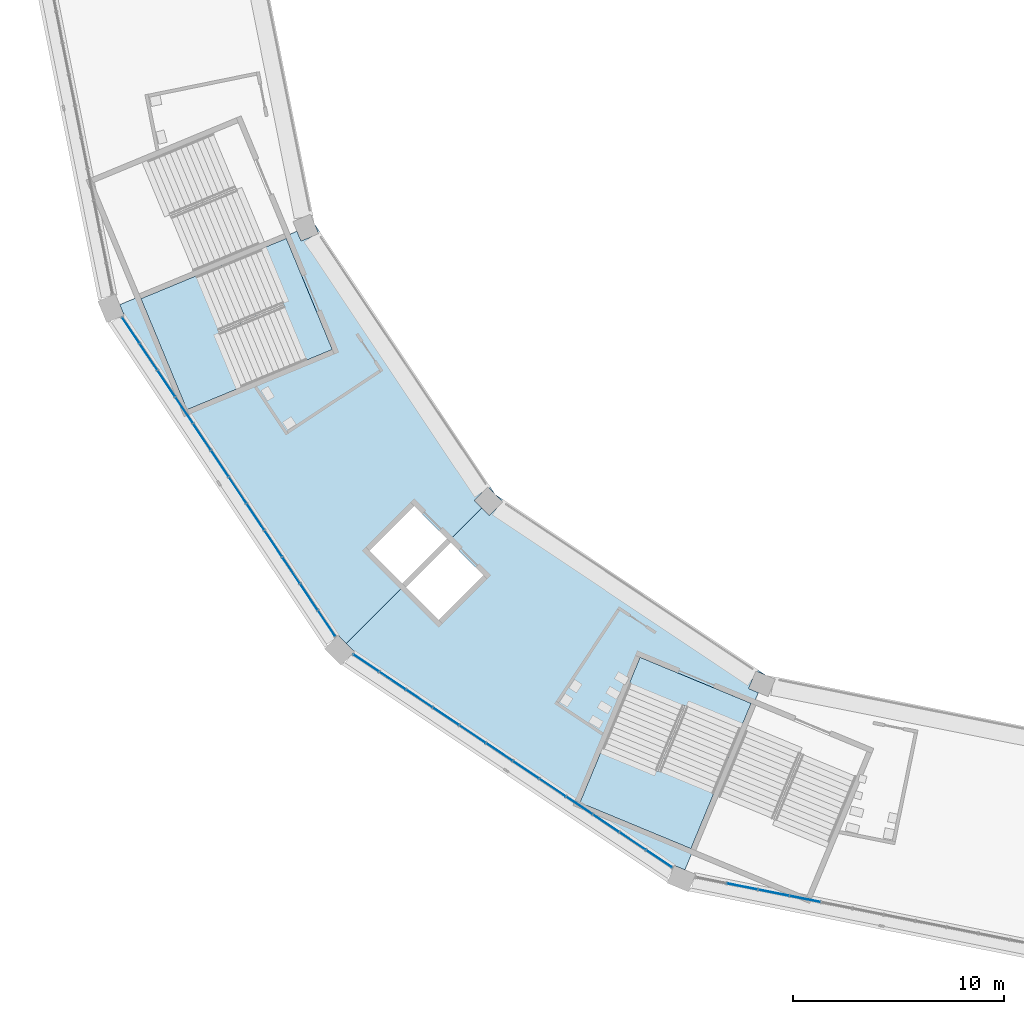
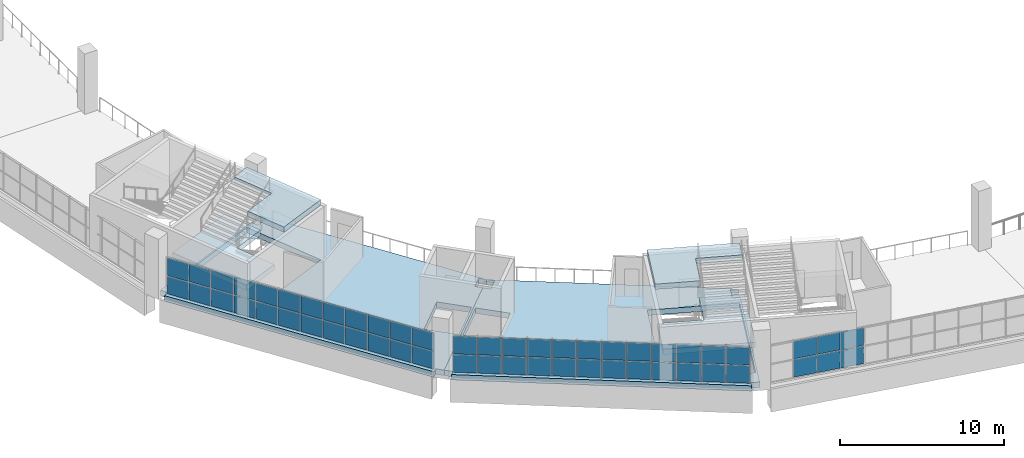
# One storey, part 43 of 177: 54 plates, 6 slabs, 5 elements without a shape of their own.
"""IFC4 building model written with IfcOpenShell, lengths in metres."""

from ifc_helpers import new_model, si_unit, direction, frame, origin, origin_2d, place, context, subcontext, project, spatial, polyline, rectangle, outline, extrude, material, layer, layer_set, type_object, element, aggregate, save


model = new_model("IFC4")

# Units and contexts
model_context = context("Model", 3, precision=1e-05, world=origin(), true_north=direction((0.0, 1.0)))
body_context = subcontext(model_context, "Body", "Model", "MODEL_VIEW")
ifc_project = project(units=[si_unit("LENGTHUNIT", "METRE"), si_unit("AREAUNIT", "SQUARE_METRE"), si_unit("VOLUMEUNIT", "CUBIC_METRE"), si_unit("PLANEANGLEUNIT", "RADIAN"), si_unit("MASSUNIT", "GRAM", prefix="KILO")], contexts=[model_context])

# Site, building, storey
site_placement = place(None, origin())
site = spatial("IfcSite", under=ifc_project, at=site_placement, CompositionType="ELEMENT")
building_placement = place(site_placement, origin())
building = spatial("IfcBuilding", under=site, at=building_placement, Name="Ogive Plaza Stadium", CompositionType="ELEMENT")
storey_placement = place(building_placement, frame((0.0, 0.0, 18.0)))
storey = spatial("IfcBuildingStorey", under=building, at=storey_placement, Name="L04", CompositionType="ELEMENT", Elevation=18.0)

# Curtain wall, plates
ifc_material_1 = material(Name="Bronze-anodised aluminium with laminated glass", Category="aluminium")
curtain_wall_type = type_object("IfcCurtainWallType", Name="Lancet curtain wall", PredefinedType="NOTDEFINED", material=ifc_material_1)
curtain_wall_1_placement = place(storey_placement, origin())
curtain_wall_1 = element("IfcCurtainWall", 1, at=curtain_wall_1_placement, inside=storey, type_object=curtain_wall_type, Name="CURTAIN WALL B17 L04", PredefinedType="NOTDEFINED")
ifc_material_2 = material(Name="Laminated glass", Category="glass")
ifc_layer_1 = layer(ifc_material_2, 0.028076171875)
ifc_layer_set_1 = layer_set([ifc_layer_1], Name="Laminated glass panel 28")
plate_type = type_object("IfcPlateType", Name="Laminated glass panel 28", PredefinedType="CURTAIN_PANEL", material=ifc_layer_set_1)
plate_1_placement = place(storey_placement, frame((-47.2607421875, -99.658447265625, 0.0498046875), z_axis=(0.0, 0.0, 1.0), x_axis=(-0.9807852804, 0.195090322033, 0.0)))
plate_1 = element("IfcPlate", 2, at=plate_1_placement, type_object=plate_type, Name="CW-B17-L04 panel 9.1", PredefinedType="CURTAIN_PANEL", context=body_context, shape_type="SweptSolid", body=[
    extrude(rectangle(XDim=1.472412109375, YDim=0.028076171875, at=origin_2d()), origin(), (0.0, 0.0, 1.0), 1.320068359375),
])
plate_2_placement = place(storey_placement, frame((-47.2607421875, -99.658447265625, 1.419921875), z_axis=(0.0, 0.0, 1.0), x_axis=(-0.9807852804, 0.195090322033, 0.0)))
plate_2 = element("IfcPlate", 3, at=plate_2_placement, type_object=plate_type, Name="CW-B17-L04 panel 9.2", PredefinedType="CURTAIN_PANEL", context=body_context, shape_type="SweptSolid", body=[
    extrude(rectangle(XDim=1.472412109375, YDim=0.028076171875, at=origin_2d()), origin(), (0.0, 0.0, 1.0), 1.320068359375),
])
plate_3_placement = place(storey_placement, frame((-48.75390625, -99.361328125, 0.0498046875), z_axis=(0.0, 0.0, 1.0), x_axis=(-0.9807852804, 0.195090322033, 0.0)))
plate_3 = element("IfcPlate", 4, at=plate_3_placement, type_object=plate_type, Name="CW-B17-L04 panel 10.1", PredefinedType="CURTAIN_PANEL", context=body_context, shape_type="SweptSolid", body=[
    extrude(rectangle(XDim=1.472412109375, YDim=0.028076171875, at=origin_2d()), origin(), (0.0, 0.0, 1.0), 1.320068359375),
])
plate_4_placement = place(storey_placement, frame((-48.75390625, -99.361328125, 1.419921875), z_axis=(0.0, 0.0, 1.0), x_axis=(-0.9807852804, 0.195090322033, 0.0)))
plate_4 = element("IfcPlate", 5, at=plate_4_placement, type_object=plate_type, Name="CW-B17-L04 panel 10.2", PredefinedType="CURTAIN_PANEL", context=body_context, shape_type="SweptSolid", body=[
    extrude(rectangle(XDim=1.472412109375, YDim=0.028076171875, at=origin_2d()), origin(), (0.0, 0.0, 1.0), 1.320068359375),
])
plate_5_placement = place(storey_placement, frame((-50.2470703125, -99.064453125, 0.0498046875), z_axis=(0.0, 0.0, 1.0), x_axis=(-0.9807852804, 0.195090322033, 0.0)))
plate_5 = element("IfcPlate", 6, at=plate_5_placement, type_object=plate_type, Name="CW-B17-L04 panel 11.1", PredefinedType="CURTAIN_PANEL", context=body_context, shape_type="SweptSolid", body=[
    extrude(rectangle(XDim=1.472412109375, YDim=0.028076171875, at=origin_2d()), origin(), (0.0, 0.0, 1.0), 1.320068359375),
])
plate_6_placement = place(storey_placement, frame((-50.2470703125, -99.064453125, 1.419921875), z_axis=(0.0, 0.0, 1.0), x_axis=(-0.9807852804, 0.195090322033, 0.0)))
plate_6 = element("IfcPlate", 7, at=plate_6_placement, type_object=plate_type, Name="CW-B17-L04 panel 11.2", PredefinedType="CURTAIN_PANEL", context=body_context, shape_type="SweptSolid", body=[
    extrude(rectangle(XDim=1.472412109375, YDim=0.028076171875, at=origin_2d()), origin(), (0.0, 0.0, 1.0), 1.320068359375),
])
aggregate(curtain_wall_1, [plate_1, plate_2, plate_3, plate_4, plate_5, plate_6])

curtain_wall_2_placement = place(storey_placement, origin())
curtain_wall_2 = element("IfcCurtainWall", 8, at=curtain_wall_2_placement, inside=storey, type_object=curtain_wall_type, Name="CURTAIN WALL B18 L04", PredefinedType="NOTDEFINED")
plate_7_placement = place(storey_placement, frame((-54.18212890625, -97.753173828125, 0.0498046875), z_axis=(0.0, 0.0, 1.0), x_axis=(-0.831469612303, 0.55557023302, 0.0)))
plate_7 = element("IfcPlate", 9, at=plate_7_placement, type_object=plate_type, Name="CW-B18-L04 panel 1.1", PredefinedType="CURTAIN_PANEL", context=body_context, shape_type="SweptSolid", body=[
    extrude(rectangle(XDim=1.447265625, YDim=0.028076171875, at=origin_2d()), origin(), (0.0, 0.0, 1.0), 1.320068359375),
])
plate_8_placement = place(storey_placement, frame((-54.18212890625, -97.753173828125, 1.419921875), z_axis=(0.0, 0.0, 1.0), x_axis=(-0.831469612303, 0.55557023302, 0.0)))
plate_8 = element("IfcPlate", 10, at=plate_8_placement, type_object=plate_type, Name="CW-B18-L04 panel 1.2", PredefinedType="CURTAIN_PANEL", context=body_context, shape_type="SweptSolid", body=[
    extrude(rectangle(XDim=1.447265625, YDim=0.028076171875, at=origin_2d()), origin(), (0.0, 0.0, 1.0), 1.320068359375),
])
plate_9_placement = place(storey_placement, frame((-55.4375, -96.914306640625, 0.0498046875), z_axis=(0.0, 0.0, 1.0), x_axis=(-0.831469612303, 0.55557023302, 0.0)))
plate_9 = element("IfcPlate", 11, at=plate_9_placement, type_object=plate_type, Name="CW-B18-L04 panel 2.1", PredefinedType="CURTAIN_PANEL", context=body_context, shape_type="SweptSolid", body=[
    extrude(rectangle(XDim=1.472412109375, YDim=0.028076171875, at=origin_2d()), origin(), (0.0, 0.0, 1.0), 1.320068359375),
])
plate_10_placement = place(storey_placement, frame((-55.4375, -96.914306640625, 1.419921875), z_axis=(0.0, 0.0, 1.0), x_axis=(-0.831469612303, 0.55557023302, 0.0)))
plate_10 = element("IfcPlate", 12, at=plate_10_placement, type_object=plate_type, Name="CW-B18-L04 panel 2.2", PredefinedType="CURTAIN_PANEL", context=body_context, shape_type="SweptSolid", body=[
    extrude(rectangle(XDim=1.472412109375, YDim=0.028076171875, at=origin_2d()), origin(), (0.0, 0.0, 1.0), 1.320068359375),
])
plate_11_placement = place(storey_placement, frame((-56.703369140625, -96.068603515625, 0.0498046875), z_axis=(0.0, 0.0, 1.0), x_axis=(-0.831469612303, 0.55557023302, 0.0)))
plate_11 = element("IfcPlate", 13, at=plate_11_placement, type_object=plate_type, Name="CW-B18-L04 panel 3.1", PredefinedType="CURTAIN_PANEL", context=body_context, shape_type="SweptSolid", body=[
    extrude(rectangle(XDim=1.472412109375, YDim=0.028076171875, at=origin_2d()), origin(), (0.0, 0.0, 1.0), 1.320068359375),
])
plate_12_placement = place(storey_placement, frame((-56.703369140625, -96.068603515625, 1.419921875), z_axis=(0.0, 0.0, 1.0), x_axis=(-0.831469612303, 0.55557023302, 0.0)))
plate_12 = element("IfcPlate", 14, at=plate_12_placement, type_object=plate_type, Name="CW-B18-L04 panel 3.2", PredefinedType="CURTAIN_PANEL", context=body_context, shape_type="SweptSolid", body=[
    extrude(rectangle(XDim=1.472412109375, YDim=0.028076171875, at=origin_2d()), origin(), (0.0, 0.0, 1.0), 1.320068359375),
])
plate_13_placement = place(storey_placement, frame((-57.96923828125, -95.222900390625, 0.0498046875), z_axis=(0.0, 0.0, 1.0), x_axis=(-0.831469612303, 0.55557023302, 0.0)))
plate_13 = element("IfcPlate", 15, at=plate_13_placement, type_object=plate_type, Name="CW-B18-L04 panel 4.1", PredefinedType="CURTAIN_PANEL", context=body_context, shape_type="SweptSolid", body=[
    extrude(rectangle(XDim=1.472412109375, YDim=0.028076171875, at=origin_2d()), origin(), (0.0, 0.0, 1.0), 1.320068359375),
])
plate_14_placement = place(storey_placement, frame((-57.96923828125, -95.222900390625, 1.419921875), z_axis=(0.0, 0.0, 1.0), x_axis=(-0.831469612303, 0.55557023302, 0.0)))
plate_14 = element("IfcPlate", 16, at=plate_14_placement, type_object=plate_type, Name="CW-B18-L04 panel 4.2", PredefinedType="CURTAIN_PANEL", context=body_context, shape_type="SweptSolid", body=[
    extrude(rectangle(XDim=1.472412109375, YDim=0.028076171875, at=origin_2d()), origin(), (0.0, 0.0, 1.0), 1.320068359375),
])
plate_15_placement = place(storey_placement, frame((-59.23486328125, -94.376953125, 0.0498046875), z_axis=(0.0, 0.0, 1.0), x_axis=(-0.831469612303, 0.55557023302, 0.0)))
plate_15 = element("IfcPlate", 17, at=plate_15_placement, type_object=plate_type, Name="CW-B18-L04 panel 5.1", PredefinedType="CURTAIN_PANEL", context=body_context, shape_type="SweptSolid", body=[
    extrude(rectangle(XDim=1.472412109375, YDim=0.028076171875, at=origin_2d()), origin(), (0.0, 0.0, 1.0), 1.320068359375),
])
plate_16_placement = place(storey_placement, frame((-59.23486328125, -94.376953125, 1.419921875), z_axis=(0.0, 0.0, 1.0), x_axis=(-0.831469612303, 0.55557023302, 0.0)))
plate_16 = element("IfcPlate", 18, at=plate_16_placement, type_object=plate_type, Name="CW-B18-L04 panel 5.2", PredefinedType="CURTAIN_PANEL", context=body_context, shape_type="SweptSolid", body=[
    extrude(rectangle(XDim=1.472412109375, YDim=0.028076171875, at=origin_2d()), origin(), (0.0, 0.0, 1.0), 1.320068359375),
])
plate_17_placement = place(storey_placement, frame((-60.500732421875, -93.53125, 0.0498046875), z_axis=(0.0, 0.0, 1.0), x_axis=(-0.831469612303, 0.55557023302, 0.0)))
plate_17 = element("IfcPlate", 19, at=plate_17_placement, type_object=plate_type, Name="CW-B18-L04 panel 6.1", PredefinedType="CURTAIN_PANEL", context=body_context, shape_type="SweptSolid", body=[
    extrude(rectangle(XDim=1.472412109375, YDim=0.028076171875, at=origin_2d()), origin(), (0.0, 0.0, 1.0), 1.320068359375),
])
plate_18_placement = place(storey_placement, frame((-60.500732421875, -93.53125, 1.419921875), z_axis=(0.0, 0.0, 1.0), x_axis=(-0.831469612303, 0.55557023302, 0.0)))
plate_18 = element("IfcPlate", 20, at=plate_18_placement, type_object=plate_type, Name="CW-B18-L04 panel 6.2", PredefinedType="CURTAIN_PANEL", context=body_context, shape_type="SweptSolid", body=[
    extrude(rectangle(XDim=1.472412109375, YDim=0.028076171875, at=origin_2d()), origin(), (0.0, 0.0, 1.0), 1.320068359375),
])
plate_19_placement = place(storey_placement, frame((-61.7666015625, -92.685546875, 0.0498046875), z_axis=(0.0, 0.0, 1.0), x_axis=(-0.831469612303, 0.55557023302, 0.0)))
plate_19 = element("IfcPlate", 21, at=plate_19_placement, type_object=plate_type, Name="CW-B18-L04 panel 7.1", PredefinedType="CURTAIN_PANEL", context=body_context, shape_type="SweptSolid", body=[
    extrude(rectangle(XDim=1.472412109375, YDim=0.028076171875, at=origin_2d()), origin(), (0.0, 0.0, 1.0), 1.320068359375),
])
plate_20_placement = place(storey_placement, frame((-61.7666015625, -92.685546875, 1.419921875), z_axis=(0.0, 0.0, 1.0), x_axis=(-0.831469612303, 0.55557023302, 0.0)))
plate_20 = element("IfcPlate", 22, at=plate_20_placement, type_object=plate_type, Name="CW-B18-L04 panel 7.2", PredefinedType="CURTAIN_PANEL", context=body_context, shape_type="SweptSolid", body=[
    extrude(rectangle(XDim=1.472412109375, YDim=0.028076171875, at=origin_2d()), origin(), (0.0, 0.0, 1.0), 1.320068359375),
])
plate_21_placement = place(storey_placement, frame((-63.0322265625, -91.839599609375, 0.0498046875), z_axis=(0.0, 0.0, 1.0), x_axis=(-0.831469612303, 0.55557023302, 0.0)))
plate_21 = element("IfcPlate", 23, at=plate_21_placement, type_object=plate_type, Name="CW-B18-L04 panel 8.1", PredefinedType="CURTAIN_PANEL", context=body_context, shape_type="SweptSolid", body=[
    extrude(rectangle(XDim=1.472412109375, YDim=0.028076171875, at=origin_2d()), origin(), (0.0, 0.0, 1.0), 1.320068359375),
])
plate_22_placement = place(storey_placement, frame((-63.0322265625, -91.839599609375, 1.419921875), z_axis=(0.0, 0.0, 1.0), x_axis=(-0.831469612303, 0.55557023302, 0.0)))
plate_22 = element("IfcPlate", 24, at=plate_22_placement, type_object=plate_type, Name="CW-B18-L04 panel 8.2", PredefinedType="CURTAIN_PANEL", context=body_context, shape_type="SweptSolid", body=[
    extrude(rectangle(XDim=1.472412109375, YDim=0.028076171875, at=origin_2d()), origin(), (0.0, 0.0, 1.0), 1.320068359375),
])
plate_23_placement = place(storey_placement, frame((-64.298095703125, -90.993896484375, 0.0498046875), z_axis=(0.0, 0.0, 1.0), x_axis=(-0.831469612303, 0.55557023302, 0.0)))
plate_23 = element("IfcPlate", 25, at=plate_23_placement, type_object=plate_type, Name="CW-B18-L04 panel 9.1", PredefinedType="CURTAIN_PANEL", context=body_context, shape_type="SweptSolid", body=[
    extrude(rectangle(XDim=1.472412109375, YDim=0.028076171875, at=origin_2d()), origin(), (0.0, 0.0, 1.0), 1.320068359375),
])
plate_24_placement = place(storey_placement, frame((-64.298095703125, -90.993896484375, 1.419921875), z_axis=(0.0, 0.0, 1.0), x_axis=(-0.831469612303, 0.55557023302, 0.0)))
plate_24 = element("IfcPlate", 26, at=plate_24_placement, type_object=plate_type, Name="CW-B18-L04 panel 9.2", PredefinedType="CURTAIN_PANEL", context=body_context, shape_type="SweptSolid", body=[
    extrude(rectangle(XDim=1.472412109375, YDim=0.028076171875, at=origin_2d()), origin(), (0.0, 0.0, 1.0), 1.320068359375),
])
plate_25_placement = place(storey_placement, frame((-65.56396484375, -90.148193359375, 0.0498046875), z_axis=(0.0, 0.0, 1.0), x_axis=(-0.831469612303, 0.55557023302, 0.0)))
plate_25 = element("IfcPlate", 27, at=plate_25_placement, type_object=plate_type, Name="CW-B18-L04 panel 10.1", PredefinedType="CURTAIN_PANEL", context=body_context, shape_type="SweptSolid", body=[
    extrude(rectangle(XDim=1.472412109375, YDim=0.028076171875, at=origin_2d()), origin(), (0.0, 0.0, 1.0), 1.320068359375),
])
plate_26_placement = place(storey_placement, frame((-65.56396484375, -90.148193359375, 1.419921875), z_axis=(0.0, 0.0, 1.0), x_axis=(-0.831469612303, 0.55557023302, 0.0)))
plate_26 = element("IfcPlate", 28, at=plate_26_placement, type_object=plate_type, Name="CW-B18-L04 panel 10.2", PredefinedType="CURTAIN_PANEL", context=body_context, shape_type="SweptSolid", body=[
    extrude(rectangle(XDim=1.472412109375, YDim=0.028076171875, at=origin_2d()), origin(), (0.0, 0.0, 1.0), 1.320068359375),
])
plate_27_placement = place(storey_placement, frame((-66.82958984375, -89.302490234375, 0.0498046875), z_axis=(0.0, 0.0, 1.0), x_axis=(-0.831469612303, 0.55557023302, 0.0)))
plate_27 = element("IfcPlate", 29, at=plate_27_placement, type_object=plate_type, Name="CW-B18-L04 panel 11.1", PredefinedType="CURTAIN_PANEL", context=body_context, shape_type="SweptSolid", body=[
    extrude(rectangle(XDim=1.472412109375, YDim=0.028076171875, at=origin_2d()), origin(), (0.0, 0.0, 1.0), 1.320068359375),
])
plate_28_placement = place(storey_placement, frame((-66.82958984375, -89.302490234375, 1.419921875), z_axis=(0.0, 0.0, 1.0), x_axis=(-0.831469612303, 0.55557023302, 0.0)))
plate_28 = element("IfcPlate", 30, at=plate_28_placement, type_object=plate_type, Name="CW-B18-L04 panel 11.2", PredefinedType="CURTAIN_PANEL", context=body_context, shape_type="SweptSolid", body=[
    extrude(rectangle(XDim=1.472412109375, YDim=0.028076171875, at=origin_2d()), origin(), (0.0, 0.0, 1.0), 1.320068359375),
])
plate_29_placement = place(storey_placement, frame((-68.0849609375, -88.463623046875, 0.0498046875), z_axis=(0.0, 0.0, 1.0), x_axis=(-0.831469612303, 0.55557023302, 0.0)))
plate_29 = element("IfcPlate", 31, at=plate_29_placement, type_object=plate_type, Name="CW-B18-L04 panel 12.1", PredefinedType="CURTAIN_PANEL", context=body_context, shape_type="SweptSolid", body=[
    extrude(rectangle(XDim=1.447265625, YDim=0.028076171875, at=origin_2d()), origin(), (0.0, 0.0, 1.0), 1.320068359375),
])
plate_30_placement = place(storey_placement, frame((-68.0849609375, -88.463623046875, 1.419921875), z_axis=(0.0, 0.0, 1.0), x_axis=(-0.831469612303, 0.55557023302, 0.0)))
plate_30 = element("IfcPlate", 32, at=plate_30_placement, type_object=plate_type, Name="CW-B18-L04 panel 12.2", PredefinedType="CURTAIN_PANEL", context=body_context, shape_type="SweptSolid", body=[
    extrude(rectangle(XDim=1.447265625, YDim=0.028076171875, at=origin_2d()), origin(), (0.0, 0.0, 1.0), 1.320068359375),
])
aggregate(curtain_wall_2, [plate_7, plate_8, plate_9, plate_10, plate_11, plate_12, plate_13, plate_14, plate_15, plate_16, plate_17, plate_18, plate_19, plate_20, plate_21, plate_22, plate_23, plate_24, plate_25, plate_26, plate_27, plate_28, plate_29, plate_30])

curtain_wall_3_placement = place(storey_placement, origin())
curtain_wall_3 = element("IfcCurtainWall", 33, at=curtain_wall_3_placement, inside=storey, type_object=curtain_wall_type, Name="CURTAIN WALL B19 L04", PredefinedType="NOTDEFINED")
plate_31_placement = place(storey_placement, frame((-69.963623046875, -86.5849609375, 0.0498046875), z_axis=(0.0, 0.0, 1.0), x_axis=(-0.55557023302, 0.831469612303, 0.0)))
plate_31 = element("IfcPlate", 34, at=plate_31_placement, type_object=plate_type, Name="CW-B19-L04 panel 1.1", PredefinedType="CURTAIN_PANEL", context=body_context, shape_type="SweptSolid", body=[
    extrude(rectangle(XDim=1.447265625, YDim=0.028076171875, at=origin_2d()), origin(), (0.0, 0.0, 1.0), 1.320068359375),
])
plate_32_placement = place(storey_placement, frame((-69.963623046875, -86.5849609375, 1.419921875), z_axis=(0.0, 0.0, 1.0), x_axis=(-0.55557023302, 0.831469612303, 0.0)))
plate_32 = element("IfcPlate", 35, at=plate_32_placement, type_object=plate_type, Name="CW-B19-L04 panel 1.2", PredefinedType="CURTAIN_PANEL", context=body_context, shape_type="SweptSolid", body=[
    extrude(rectangle(XDim=1.447265625, YDim=0.028076171875, at=origin_2d()), origin(), (0.0, 0.0, 1.0), 1.320068359375),
])
plate_33_placement = place(storey_placement, frame((-70.802490234375, -85.32958984375, 0.0498046875), z_axis=(0.0, 0.0, 1.0), x_axis=(-0.55557023302, 0.831469612303, 0.0)))
plate_33 = element("IfcPlate", 36, at=plate_33_placement, type_object=plate_type, Name="CW-B19-L04 panel 2.1", PredefinedType="CURTAIN_PANEL", context=body_context, shape_type="SweptSolid", body=[
    extrude(rectangle(XDim=1.472412109375, YDim=0.028076171875, at=origin_2d()), origin(), (0.0, 0.0, 1.0), 1.320068359375),
])
plate_34_placement = place(storey_placement, frame((-70.802490234375, -85.32958984375, 1.419921875), z_axis=(0.0, 0.0, 1.0), x_axis=(-0.55557023302, 0.831469612303, 0.0)))
plate_34 = element("IfcPlate", 37, at=plate_34_placement, type_object=plate_type, Name="CW-B19-L04 panel 2.2", PredefinedType="CURTAIN_PANEL", context=body_context, shape_type="SweptSolid", body=[
    extrude(rectangle(XDim=1.472412109375, YDim=0.028076171875, at=origin_2d()), origin(), (0.0, 0.0, 1.0), 1.320068359375),
])
plate_35_placement = place(storey_placement, frame((-71.648193359375, -84.06396484375, 0.0498046875), z_axis=(0.0, 0.0, 1.0), x_axis=(-0.55557023302, 0.831469612303, 0.0)))
plate_35 = element("IfcPlate", 38, at=plate_35_placement, type_object=plate_type, Name="CW-B19-L04 panel 3.1", PredefinedType="CURTAIN_PANEL", context=body_context, shape_type="SweptSolid", body=[
    extrude(rectangle(XDim=1.472412109375, YDim=0.028076171875, at=origin_2d()), origin(), (0.0, 0.0, 1.0), 1.320068359375),
])
plate_36_placement = place(storey_placement, frame((-71.648193359375, -84.06396484375, 1.419921875), z_axis=(0.0, 0.0, 1.0), x_axis=(-0.55557023302, 0.831469612303, 0.0)))
plate_36 = element("IfcPlate", 39, at=plate_36_placement, type_object=plate_type, Name="CW-B19-L04 panel 3.2", PredefinedType="CURTAIN_PANEL", context=body_context, shape_type="SweptSolid", body=[
    extrude(rectangle(XDim=1.472412109375, YDim=0.028076171875, at=origin_2d()), origin(), (0.0, 0.0, 1.0), 1.320068359375),
])
plate_37_placement = place(storey_placement, frame((-72.493896484375, -82.798095703125, 0.0498046875), z_axis=(0.0, 0.0, 1.0), x_axis=(-0.55557023302, 0.831469612303, 0.0)))
plate_37 = element("IfcPlate", 40, at=plate_37_placement, type_object=plate_type, Name="CW-B19-L04 panel 4.1", PredefinedType="CURTAIN_PANEL", context=body_context, shape_type="SweptSolid", body=[
    extrude(rectangle(XDim=1.472412109375, YDim=0.028076171875, at=origin_2d()), origin(), (0.0, 0.0, 1.0), 1.320068359375),
])
plate_38_placement = place(storey_placement, frame((-72.493896484375, -82.798095703125, 1.419921875), z_axis=(0.0, 0.0, 1.0), x_axis=(-0.55557023302, 0.831469612303, 0.0)))
plate_38 = element("IfcPlate", 41, at=plate_38_placement, type_object=plate_type, Name="CW-B19-L04 panel 4.2", PredefinedType="CURTAIN_PANEL", context=body_context, shape_type="SweptSolid", body=[
    extrude(rectangle(XDim=1.472412109375, YDim=0.028076171875, at=origin_2d()), origin(), (0.0, 0.0, 1.0), 1.320068359375),
])
plate_39_placement = place(storey_placement, frame((-73.339599609375, -81.5322265625, 0.0498046875), z_axis=(0.0, 0.0, 1.0), x_axis=(-0.55557023302, 0.831469612303, 0.0)))
plate_39 = element("IfcPlate", 42, at=plate_39_placement, type_object=plate_type, Name="CW-B19-L04 panel 5.1", PredefinedType="CURTAIN_PANEL", context=body_context, shape_type="SweptSolid", body=[
    extrude(rectangle(XDim=1.472412109375, YDim=0.028076171875, at=origin_2d()), origin(), (0.0, 0.0, 1.0), 1.320068359375),
])
plate_40_placement = place(storey_placement, frame((-73.339599609375, -81.5322265625, 1.419921875), z_axis=(0.0, 0.0, 1.0), x_axis=(-0.55557023302, 0.831469612303, 0.0)))
plate_40 = element("IfcPlate", 43, at=plate_40_placement, type_object=plate_type, Name="CW-B19-L04 panel 5.2", PredefinedType="CURTAIN_PANEL", context=body_context, shape_type="SweptSolid", body=[
    extrude(rectangle(XDim=1.472412109375, YDim=0.028076171875, at=origin_2d()), origin(), (0.0, 0.0, 1.0), 1.320068359375),
])
plate_41_placement = place(storey_placement, frame((-74.185546875, -80.2666015625, 0.0498046875), z_axis=(0.0, 0.0, 1.0), x_axis=(-0.55557023302, 0.831469612303, 0.0)))
plate_41 = element("IfcPlate", 44, at=plate_41_placement, type_object=plate_type, Name="CW-B19-L04 panel 6.1", PredefinedType="CURTAIN_PANEL", context=body_context, shape_type="SweptSolid", body=[
    extrude(rectangle(XDim=1.472412109375, YDim=0.028076171875, at=origin_2d()), origin(), (0.0, 0.0, 1.0), 1.320068359375),
])
plate_42_placement = place(storey_placement, frame((-74.185546875, -80.2666015625, 1.419921875), z_axis=(0.0, 0.0, 1.0), x_axis=(-0.55557023302, 0.831469612303, 0.0)))
plate_42 = element("IfcPlate", 45, at=plate_42_placement, type_object=plate_type, Name="CW-B19-L04 panel 6.2", PredefinedType="CURTAIN_PANEL", context=body_context, shape_type="SweptSolid", body=[
    extrude(rectangle(XDim=1.472412109375, YDim=0.028076171875, at=origin_2d()), origin(), (0.0, 0.0, 1.0), 1.320068359375),
])
plate_43_placement = place(storey_placement, frame((-75.03125, -79.000732421875, 0.0498046875), z_axis=(0.0, 0.0, 1.0), x_axis=(-0.55557023302, 0.831469612303, 0.0)))
plate_43 = element("IfcPlate", 46, at=plate_43_placement, type_object=plate_type, Name="CW-B19-L04 panel 7.1", PredefinedType="CURTAIN_PANEL", context=body_context, shape_type="SweptSolid", body=[
    extrude(rectangle(XDim=1.472412109375, YDim=0.028076171875, at=origin_2d()), origin(), (0.0, 0.0, 1.0), 1.320068359375),
])
plate_44_placement = place(storey_placement, frame((-75.03125, -79.000732421875, 1.419921875), z_axis=(0.0, 0.0, 1.0), x_axis=(-0.55557023302, 0.831469612303, 0.0)))
plate_44 = element("IfcPlate", 47, at=plate_44_placement, type_object=plate_type, Name="CW-B19-L04 panel 7.2", PredefinedType="CURTAIN_PANEL", context=body_context, shape_type="SweptSolid", body=[
    extrude(rectangle(XDim=1.472412109375, YDim=0.028076171875, at=origin_2d()), origin(), (0.0, 0.0, 1.0), 1.320068359375),
])
plate_45_placement = place(storey_placement, frame((-75.876953125, -77.73486328125, 0.0498046875), z_axis=(0.0, 0.0, 1.0), x_axis=(-0.55557023302, 0.831469612303, 0.0)))
plate_45 = element("IfcPlate", 48, at=plate_45_placement, type_object=plate_type, Name="CW-B19-L04 panel 8.1", PredefinedType="CURTAIN_PANEL", context=body_context, shape_type="SweptSolid", body=[
    extrude(rectangle(XDim=1.472412109375, YDim=0.028076171875, at=origin_2d()), origin(), (0.0, 0.0, 1.0), 1.320068359375),
])
plate_46_placement = place(storey_placement, frame((-75.876953125, -77.73486328125, 1.419921875), z_axis=(0.0, 0.0, 1.0), x_axis=(-0.55557023302, 0.831469612303, 0.0)))
plate_46 = element("IfcPlate", 49, at=plate_46_placement, type_object=plate_type, Name="CW-B19-L04 panel 8.2", PredefinedType="CURTAIN_PANEL", context=body_context, shape_type="SweptSolid", body=[
    extrude(rectangle(XDim=1.472412109375, YDim=0.028076171875, at=origin_2d()), origin(), (0.0, 0.0, 1.0), 1.320068359375),
])
plate_47_placement = place(storey_placement, frame((-76.722900390625, -76.46923828125, 0.0498046875), z_axis=(0.0, 0.0, 1.0), x_axis=(-0.55557023302, 0.831469612303, 0.0)))
plate_47 = element("IfcPlate", 50, at=plate_47_placement, type_object=plate_type, Name="CW-B19-L04 panel 9.1", PredefinedType="CURTAIN_PANEL", context=body_context, shape_type="SweptSolid", body=[
    extrude(rectangle(XDim=1.472412109375, YDim=0.028076171875, at=origin_2d()), origin(), (0.0, 0.0, 1.0), 1.320068359375),
])
plate_48_placement = place(storey_placement, frame((-76.722900390625, -76.46923828125, 1.419921875), z_axis=(0.0, 0.0, 1.0), x_axis=(-0.55557023302, 0.831469612303, 0.0)))
plate_48 = element("IfcPlate", 51, at=plate_48_placement, type_object=plate_type, Name="CW-B19-L04 panel 9.2", PredefinedType="CURTAIN_PANEL", context=body_context, shape_type="SweptSolid", body=[
    extrude(rectangle(XDim=1.472412109375, YDim=0.028076171875, at=origin_2d()), origin(), (0.0, 0.0, 1.0), 1.320068359375),
])
plate_49_placement = place(storey_placement, frame((-77.568603515625, -75.203369140625, 0.0498046875), z_axis=(0.0, 0.0, 1.0), x_axis=(-0.55557023302, 0.831469612303, 0.0)))
plate_49 = element("IfcPlate", 52, at=plate_49_placement, type_object=plate_type, Name="CW-B19-L04 panel 10.1", PredefinedType="CURTAIN_PANEL", context=body_context, shape_type="SweptSolid", body=[
    extrude(rectangle(XDim=1.472412109375, YDim=0.028076171875, at=origin_2d()), origin(), (0.0, 0.0, 1.0), 1.320068359375),
])
plate_50_placement = place(storey_placement, frame((-77.568603515625, -75.203369140625, 1.419921875), z_axis=(0.0, 0.0, 1.0), x_axis=(-0.55557023302, 0.831469612303, 0.0)))
plate_50 = element("IfcPlate", 53, at=plate_50_placement, type_object=plate_type, Name="CW-B19-L04 panel 10.2", PredefinedType="CURTAIN_PANEL", context=body_context, shape_type="SweptSolid", body=[
    extrude(rectangle(XDim=1.472412109375, YDim=0.028076171875, at=origin_2d()), origin(), (0.0, 0.0, 1.0), 1.320068359375),
])
plate_51_placement = place(storey_placement, frame((-78.414306640625, -73.9375, 0.0498046875), z_axis=(0.0, 0.0, 1.0), x_axis=(-0.55557023302, 0.831469612303, 0.0)))
plate_51 = element("IfcPlate", 54, at=plate_51_placement, type_object=plate_type, Name="CW-B19-L04 panel 11.1", PredefinedType="CURTAIN_PANEL", context=body_context, shape_type="SweptSolid", body=[
    extrude(rectangle(XDim=1.472412109375, YDim=0.028076171875, at=origin_2d()), origin(), (0.0, 0.0, 1.0), 1.320068359375),
])
plate_52_placement = place(storey_placement, frame((-78.414306640625, -73.9375, 1.419921875), z_axis=(0.0, 0.0, 1.0), x_axis=(-0.55557023302, 0.831469612303, 0.0)))
plate_52 = element("IfcPlate", 55, at=plate_52_placement, type_object=plate_type, Name="CW-B19-L04 panel 11.2", PredefinedType="CURTAIN_PANEL", context=body_context, shape_type="SweptSolid", body=[
    extrude(rectangle(XDim=1.472412109375, YDim=0.028076171875, at=origin_2d()), origin(), (0.0, 0.0, 1.0), 1.320068359375),
])
plate_53_placement = place(storey_placement, frame((-79.253173828125, -72.68212890625, 0.0498046875), z_axis=(0.0, 0.0, 1.0), x_axis=(-0.55557023302, 0.831469612303, 0.0)))
plate_53 = element("IfcPlate", 56, at=plate_53_placement, type_object=plate_type, Name="CW-B19-L04 panel 12.1", PredefinedType="CURTAIN_PANEL", context=body_context, shape_type="SweptSolid", body=[
    extrude(rectangle(XDim=1.447265625, YDim=0.028076171875, at=origin_2d()), origin(), (0.0, 0.0, 1.0), 1.320068359375),
])
plate_54_placement = place(storey_placement, frame((-79.253173828125, -72.68212890625, 1.419921875), z_axis=(0.0, 0.0, 1.0), x_axis=(-0.55557023302, 0.831469612303, 0.0)))
plate_54 = element("IfcPlate", 57, at=plate_54_placement, type_object=plate_type, Name="CW-B19-L04 panel 12.2", PredefinedType="CURTAIN_PANEL", context=body_context, shape_type="SweptSolid", body=[
    extrude(rectangle(XDim=1.447265625, YDim=0.028076171875, at=origin_2d()), origin(), (0.0, 0.0, 1.0), 1.320068359375),
])
aggregate(curtain_wall_3, [plate_31, plate_32, plate_33, plate_34, plate_35, plate_36, plate_37, plate_38, plate_39, plate_40, plate_41, plate_42, plate_43, plate_44, plate_45, plate_46, plate_47, plate_48, plate_49, plate_50, plate_51, plate_52, plate_53, plate_54])

# Slabs
ifc_material_3 = material(Name="Concrete C40/50", Category="concrete")
ifc_layer_2 = layer(ifc_material_3, 0.409912109375)
ifc_layer_set_2 = layer_set([ifc_layer_2], Name="Concrete C40/50")
slab_type_1 = type_object("IfcSlabType", Name="RC floor slab 410", PredefinedType="FLOOR", material=ifc_layer_set_2)
slab_1_placement = place(storey_placement, frame((0.0, 0.0, -0.409912109375)))
element("IfcSlab", 58, at=slab_1_placement, inside=storey, type_object=slab_type_1, Name="Floor slab L04 B18", PredefinedType="FLOOR", context=body_context, shape_type="SweptSolid", body=[
    extrude(outline(polyline([(-69.037109375, -87.537109375), (-68.648193359375, -87.926025390625), (-68.88916015625, -88.1669921875), (-53.600341796875, -98.38232421875), (-53.47021484375, -98.06787109375), (-52.9619140625, -98.2783203125), (-49.4794921875, -89.870849609375), (-49.94140625, -89.6796875), (-49.59716796875, -88.84814453125), (-49.135009765625, -89.03955078125), (-61.966064453125, -80.466064453125), (-61.612548828125, -80.819580078125), (-62.2490234375, -81.4560546875), (-62.6025390625, -81.1025390625), (-69.037109375, -87.537109375)]), holes=[polyline([(-49.82470703125, -90.37744140625), (-55.0908203125, -88.196044921875), (-57.945556640625, -95.08837890625), (-52.679443359375, -97.26953125), (-49.82470703125, -90.37744140625)]), polyline([(-62.51416015625, -84.30224609375), (-64.06982421875, -82.74658203125), (-66.19091796875, -84.867919921875), (-64.635498046875, -86.42333984375), (-62.51416015625, -84.30224609375)])]), origin(), (0.0, 0.0, 1.0), 0.409912109375),
])
slab_2_placement = place(storey_placement, frame((0.0, 0.0, -0.409912109375)))
element("IfcSlab", 59, at=slab_2_placement, inside=storey, type_object=slab_type_1, Name="Floor slab L04 B19", PredefinedType="FLOOR", context=body_context, shape_type="SweptSolid", body=[
    extrude(outline(polyline([(-79.7783203125, -71.4619140625), (-79.56787109375, -71.97021484375), (-79.88232421875, -72.100341796875), (-69.6669921875, -87.38916015625), (-69.426025390625, -87.148193359375), (-69.037109375, -87.537109375), (-62.6025390625, -81.1025390625), (-62.9560546875, -80.7490234375), (-62.319580078125, -80.112548828125), (-61.966064453125, -80.466064453125), (-61.966064453125, -80.466064453125), (-70.53955078125, -67.635009765625), (-70.34814453125, -68.09716796875), (-71.1796875, -68.44140625), (-71.370849609375, -67.9794921875), (-79.7783203125, -71.4619140625)]), holes=[polyline([(-64.24658203125, -82.56982421875), (-65.80224609375, -81.01416015625), (-67.92333984375, -83.135498046875), (-66.367919921875, -84.69091796875), (-64.24658203125, -82.56982421875)]), polyline([(-69.696044921875, -73.5908203125), (-71.87744140625, -68.32470703125), (-78.76953125, -71.179443359375), (-76.58837890625, -76.445556640625), (-69.696044921875, -73.5908203125)])]), origin(), (0.0, 0.0, 1.0), 0.409912109375),
])

# Stair, slabs
ifc_material_4 = material(Name="Concrete C40/50", Category="concrete")
stair_type = type_object("IfcStairType", Name="Exit stair", PredefinedType="STRAIGHT_RUN_STAIR", material=ifc_material_4)
stair_1_placement = place(storey_placement, origin())
stair_1 = element("IfcStair", 60, at=stair_1_placement, inside=storey, type_object=stair_type, Name="Exit stair ST18A L04 to L05", PredefinedType="STRAIGHT_RUN_STAIR")
ifc_material_5 = material(Name="Concrete C40/50", Category="concrete")
ifc_layer_3 = layer(ifc_material_5, 0.39990234375)
ifc_layer_set_3 = layer_set([ifc_layer_3], Name="Concrete C40/50")
slab_type_2 = type_object("IfcSlabType", Name="Stair landing", PredefinedType="LANDING", material=ifc_layer_set_3)
slab_3_placement = place(storey_placement, frame((0.0, 0.0, 1.85009765625)))
slab_3 = element("IfcSlab", 61, at=slab_3_placement, type_object=slab_type_2, Name="ST18A landing 1", PredefinedType="LANDING", context=body_context, shape_type="SweptSolid", body=[
    extrude(outline(polyline([(-52.679443359375, -97.26953125), (-57.945556640625, -95.08837890625), (-56.8740234375, -92.50146484375), (-54.19482421875, -93.611083984375), (-53.2763671875, -91.393798828125), (-50.689453125, -92.46533203125), (-51.60791015625, -94.6826171875), (-52.679443359375, -97.26953125)])), origin(), (0.0, 0.0, 1.0), 0.39990234375),
])
slab_4_placement = place(storey_placement, frame((0.0, 0.0, 4.10009765625)))
slab_4 = element("IfcSlab", 62, at=slab_4_placement, type_object=slab_type_2, Name="ST18A landing 2", PredefinedType="LANDING", context=body_context, shape_type="SweptSolid", body=[
    extrude(outline(polyline([(-53.919921875, -92.68603515625), (-56.506591796875, -91.614501953125), (-55.588134765625, -89.397216796875), (-55.0908203125, -88.196044921875), (-49.82470703125, -90.37744140625), (-50.322021484375, -91.578369140625), (-53.00146484375, -90.46875), (-53.919921875, -92.68603515625)])), origin(), (0.0, 0.0, 1.0), 0.39990234375),
])
aggregate(stair_1, [slab_3, slab_4])

stair_2_placement = place(storey_placement, origin())
stair_2 = element("IfcStair", 63, at=stair_2_placement, inside=storey, type_object=stair_type, Name="Exit stair ST20B L04 to L05", PredefinedType="STRAIGHT_RUN_STAIR")
slab_5_placement = place(storey_placement, frame((0.0, 0.0, 1.85009765625)))
slab_5 = element("IfcSlab", 64, at=slab_5_placement, type_object=slab_type_2, Name="ST20B landing 1", PredefinedType="LANDING", context=body_context, shape_type="SweptSolid", body=[
    extrude(outline(polyline([(-73.96533203125, -69.189453125), (-72.893798828125, -71.7763671875), (-75.111083984375, -72.69482421875), (-74.00146484375, -75.3740234375), (-76.58837890625, -76.445556640625), (-78.76953125, -71.179443359375), (-76.1826171875, -70.10791015625), (-73.96533203125, -69.189453125)])), origin(), (0.0, 0.0, 1.0), 0.39990234375),
])
slab_6_placement = place(storey_placement, frame((0.0, 0.0, 4.10009765625)))
slab_6 = element("IfcSlab", 65, at=slab_6_placement, type_object=slab_type_2, Name="ST20B landing 2", PredefinedType="LANDING", context=body_context, shape_type="SweptSolid", body=[
    extrude(outline(polyline([(-73.078369140625, -68.822021484375), (-71.87744140625, -68.32470703125), (-69.696044921875, -73.5908203125), (-70.897216796875, -74.088134765625), (-73.114501953125, -75.006591796875), (-74.18603515625, -72.419921875), (-71.96875, -71.50146484375), (-73.078369140625, -68.822021484375)])), origin(), (0.0, 0.0, 1.0), 0.39990234375),
])
aggregate(stair_2, [slab_5, slab_6])

save(model, "model.ifc")
